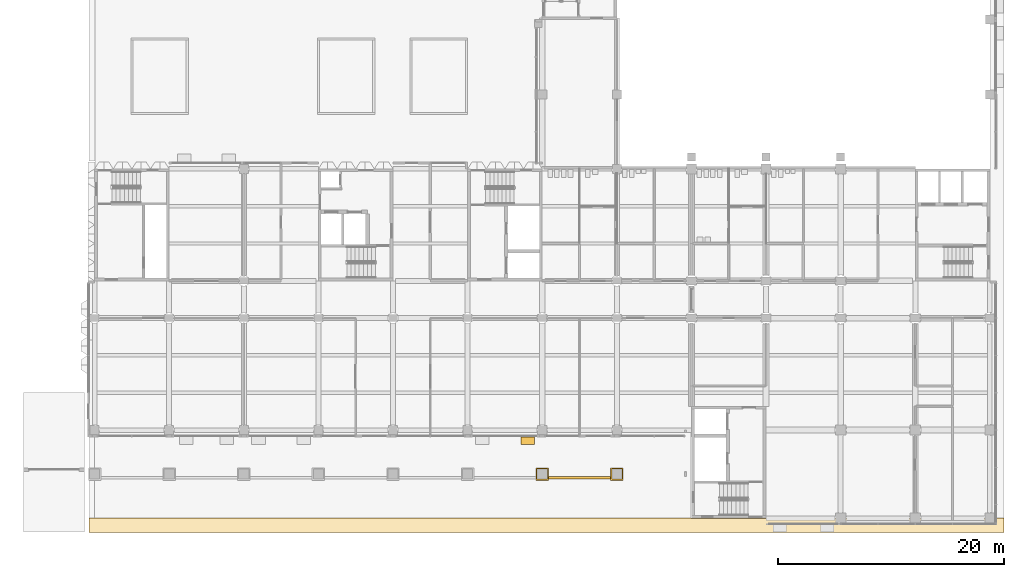
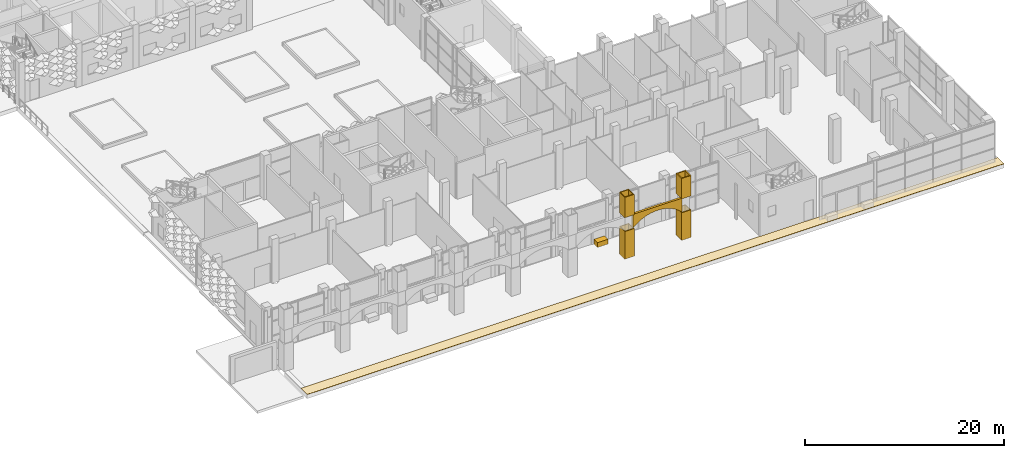
# One storey, part 49 of 85: 7 coverings.
"""IFC4 building model written with IfcOpenShell, lengths in metres."""

from ifc_helpers import new_model, si_unit, direction, frame, origin, origin_2d, place, context, subcontext, project, spatial, polyline, rectangle, outline, extrude, material, layer, layer_set, type_object, element, save


model = new_model("IFC4")

# Units and contexts
model_context = context("Model", 3, precision=1e-05, world=origin(), true_north=direction((0.0, 1.0)))
body_context = subcontext(model_context, "Body", "Model", "MODEL_VIEW")
ifc_project = project(units=[si_unit("LENGTHUNIT", "METRE"), si_unit("AREAUNIT", "SQUARE_METRE"), si_unit("VOLUMEUNIT", "CUBIC_METRE"), si_unit("PLANEANGLEUNIT", "RADIAN"), si_unit("MASSUNIT", "GRAM", prefix="KILO")], contexts=[model_context])

# Site, building, storey
site_placement = place(None, origin())
site = spatial("IfcSite", under=ifc_project, at=site_placement, CompositionType="ELEMENT")
building_placement = place(site_placement, origin())
building = spatial("IfcBuilding", under=site, at=building_placement, Name="Lantern Court Research Institute", CompositionType="ELEMENT")
storey_placement = place(building_placement, origin())
storey = spatial("IfcBuildingStorey", under=building, at=storey_placement, Name="L00", CompositionType="ELEMENT", Elevation=0.0)

# Coverings
ifc_material_1 = material(Name="Glass fibre reinforced concrete cladding", Category="concrete")
ifc_layer_1 = layer(ifc_material_1, 0.25)
ifc_layer_set_1 = layer_set([ifc_layer_1], Name="Glass fibre reinforced concrete cladding")
covering_type_1 = type_object("IfcCoveringType", Name="Arcade frieze panel 250 glass fibre reinforced concrete", PredefinedType="CLADDING", material=ifc_layer_set_1)
covering_1_placement = place(storey_placement, frame((0.0, -4.10009765625, 0.0), z_axis=(0.0, -1.0, 0.0), x_axis=(1.0, 0.0, 0.0)))
element("IfcCovering", 1, at=covering_1_placement, inside=storey, type_object=covering_type_1, Name="Arcade arched frieze panel 7", PredefinedType="CLADDING", context=body_context, shape_type="SweptSolid", body=[
    extrude(outline(polyline([(40.050048828125, 5.10009765625), (40.050048828125, 3.39990234375), (40.28759765625, 3.6240234375), (40.52490234375, 3.814697265625), (40.762451171875, 3.97802734375), (41.0, 4.117919921875), (41.237548828125, 4.236572265625), (41.47509765625, 4.33642578125), (41.71240234375, 4.4189453125), (41.949951171875, 4.485107421875), (42.1875, 4.535888671875), (42.425048828125, 4.571533203125), (42.66259765625, 4.593017578125), (42.89990234375, 4.60009765625), (43.137451171875, 4.593017578125), (43.375, 4.571533203125), (43.612548828125, 4.535888671875), (43.85009765625, 4.485107421875), (44.08740234375, 4.4189453125), (44.324951171875, 4.33642578125), (44.5625, 4.236572265625), (44.800048828125, 4.117919921875), (45.03759765625, 3.97802734375), (45.27490234375, 3.814697265625), (45.512451171875, 3.6240234375), (45.75, 3.39990234375), (45.75, 5.10009765625), (40.050048828125, 5.10009765625)])), origin(), (0.0, 0.0, 1.0), 0.25),
])
ifc_material_2 = material(Name="Glass fibre reinforced concrete cladding", Category="concrete")
ifc_layer_2 = layer(ifc_material_2, 0.699951171875)
ifc_layer_set_2 = layer_set([ifc_layer_2], Name="Glass fibre reinforced concrete cladding")
covering_type_2 = type_object("IfcCoveringType", Name="Entrance planter 700 glass fibre reinforced concrete", PredefinedType="CLADDING", material=ifc_layer_set_2)
covering_2_placement = place(storey_placement, frame((38.300048828125, -0.949951171875, 0.0), z_axis=(0.0, 0.0, 1.0), x_axis=(1.0, 0.0, 0.0)))
element("IfcCovering", 2, at=covering_2_placement, inside=storey, type_object=covering_type_2, Name="Entrance planter 13", PredefinedType="CLADDING", context=body_context, shape_type="SweptSolid", body=[
    extrude(rectangle(XDim=1.199951171875, YDim=0.699951171875, at=origin_2d()), origin(), (0.0, 0.0, 1.0), 0.60009765625),
])
ifc_material_3 = material(Name="Precast concrete flags C30/37", Category="concrete")
ifc_layer_3 = layer(ifc_material_3, 0.0400390625)
ifc_layer_set_3 = layer_set([ifc_layer_3], Name="Precast concrete flags C30/37")
covering_type_3 = type_object("IfcCoveringType", Name="Footway paving 40 mm", PredefinedType="FLOORING", material=ifc_layer_set_3)
covering_3_placement = place(storey_placement, origin())
element("IfcCovering", 3, at=covering_3_placement, inside=storey, type_object=covering_type_3, Name="Footway paving south 1", PredefinedType="FLOORING", context=body_context, shape_type="SweptSolid", body=[
    extrude(outline(polyline([(80.447021484375, -9.047119140625), (-0.47998046875, -9.047119140625), (-0.47998046875, -7.800048828125), (52.780029296875, -7.800048828125), (52.780029296875, -7.802001953125), (52.780029296875, -7.803955078125), (52.781005859375, -7.805908203125), (52.781982421875, -7.80810546875), (52.781982421875, -7.80908203125), (52.782958984375, -7.81103515625), (52.784912109375, -7.81298828125), (52.785888671875, -7.81396484375), (52.787109375, -7.81494140625), (52.7890625, -7.81689453125), (52.791015625, -7.818115234375), (52.7919921875, -7.818115234375), (52.7939453125, -7.819091796875), (52.7958984375, -7.820068359375), (52.798095703125, -7.820068359375), (52.800048828125, -7.820068359375), (79.199951171875, -7.820068359375), (79.201904296875, -7.820068359375), (79.2041015625, -7.820068359375), (79.2060546875, -7.819091796875), (79.2080078125, -7.818115234375), (79.208984375, -7.818115234375), (79.2109375, -7.81689453125), (79.212890625, -7.81494140625), (79.214111328125, -7.81396484375), (79.215087890625, -7.81298828125), (79.217041015625, -7.81103515625), (79.218017578125, -7.80908203125), (79.218017578125, -7.80810546875), (79.218994140625, -7.805908203125), (79.219970703125, -7.803955078125), (79.219970703125, -7.802001953125), (79.219970703125, -7.800048828125), (80.447021484375, -7.800048828125), (80.447021484375, -9.047119140625)])), origin(), (0.0, 0.0, 1.0), 0.0400390625),
])
ifc_material_4 = material(Name="Glass fibre reinforced concrete cladding", Category="concrete")
ifc_layer_4 = layer(ifc_material_4, 0.10009765625)
ifc_layer_set_4 = layer_set([ifc_layer_4], Name="Glass fibre reinforced concrete cladding")
covering_type_4 = type_object("IfcCoveringType", Name="Pier casing 100 glass fibre reinforced concrete", PredefinedType="CLADDING", material=ifc_layer_set_4)
covering_4_placement = place(storey_placement, origin())
element("IfcCovering", 4, at=covering_4_placement, inside=storey, type_object=covering_type_4, Name="Pier casing 13", PredefinedType="CLADDING", context=body_context, shape_type="SweptSolid", body=[
    extrude(outline(polyline([(39.050048828125, -4.449951171875), (40.14990234375, -4.449951171875), (40.14990234375, -3.35009765625), (39.050048828125, -3.35009765625), (39.050048828125, -4.449951171875)]), holes=[polyline([(40.050048828125, -3.449951171875), (40.050048828125, -4.35009765625), (39.14990234375, -4.35009765625), (39.14990234375, -3.449951171875), (40.050048828125, -3.449951171875)])]), origin(), (0.0, 0.0, 1.0), 3.39990234375),
])
covering_5_placement = place(storey_placement, frame((0.0, 0.0, 5.10009765625)))
element("IfcCovering", 5, at=covering_5_placement, inside=storey, type_object=covering_type_4, Name="Pier casing 14", PredefinedType="CLADDING", context=body_context, shape_type="SweptSolid", body=[
    extrude(outline(polyline([(39.050048828125, -4.449951171875), (40.14990234375, -4.449951171875), (40.14990234375, -3.35009765625), (39.050048828125, -3.35009765625), (39.050048828125, -4.449951171875)]), holes=[polyline([(40.050048828125, -3.449951171875), (40.050048828125, -4.35009765625), (39.14990234375, -4.35009765625), (39.14990234375, -3.449951171875), (40.050048828125, -3.449951171875)])]), origin(), (0.0, 0.0, 1.0), 2.5),
])
covering_6_placement = place(storey_placement, origin())
element("IfcCovering", 6, at=covering_6_placement, inside=storey, type_object=covering_type_4, Name="Pier casing 15", PredefinedType="CLADDING", context=body_context, shape_type="SweptSolid", body=[
    extrude(outline(polyline([(45.64990234375, -4.449951171875), (46.75, -4.449951171875), (46.75, -3.35009765625), (45.64990234375, -3.35009765625), (45.64990234375, -4.449951171875)]), holes=[polyline([(46.64990234375, -3.449951171875), (46.64990234375, -4.35009765625), (45.75, -4.35009765625), (45.75, -3.449951171875), (46.64990234375, -3.449951171875)])]), origin(), (0.0, 0.0, 1.0), 3.39990234375),
])
covering_7_placement = place(storey_placement, frame((0.0, 0.0, 5.10009765625)))
element("IfcCovering", 7, at=covering_7_placement, inside=storey, type_object=covering_type_4, Name="Pier casing 16", PredefinedType="CLADDING", context=body_context, shape_type="SweptSolid", body=[
    extrude(outline(polyline([(45.64990234375, -4.449951171875), (46.75, -4.449951171875), (46.75, -3.35009765625), (45.64990234375, -3.35009765625), (45.64990234375, -4.449951171875)]), holes=[polyline([(46.64990234375, -3.449951171875), (46.64990234375, -4.35009765625), (45.75, -4.35009765625), (45.75, -3.449951171875), (46.64990234375, -3.449951171875)])]), origin(), (0.0, 0.0, 1.0), 2.5),
])

save(model, "model.ifc")
